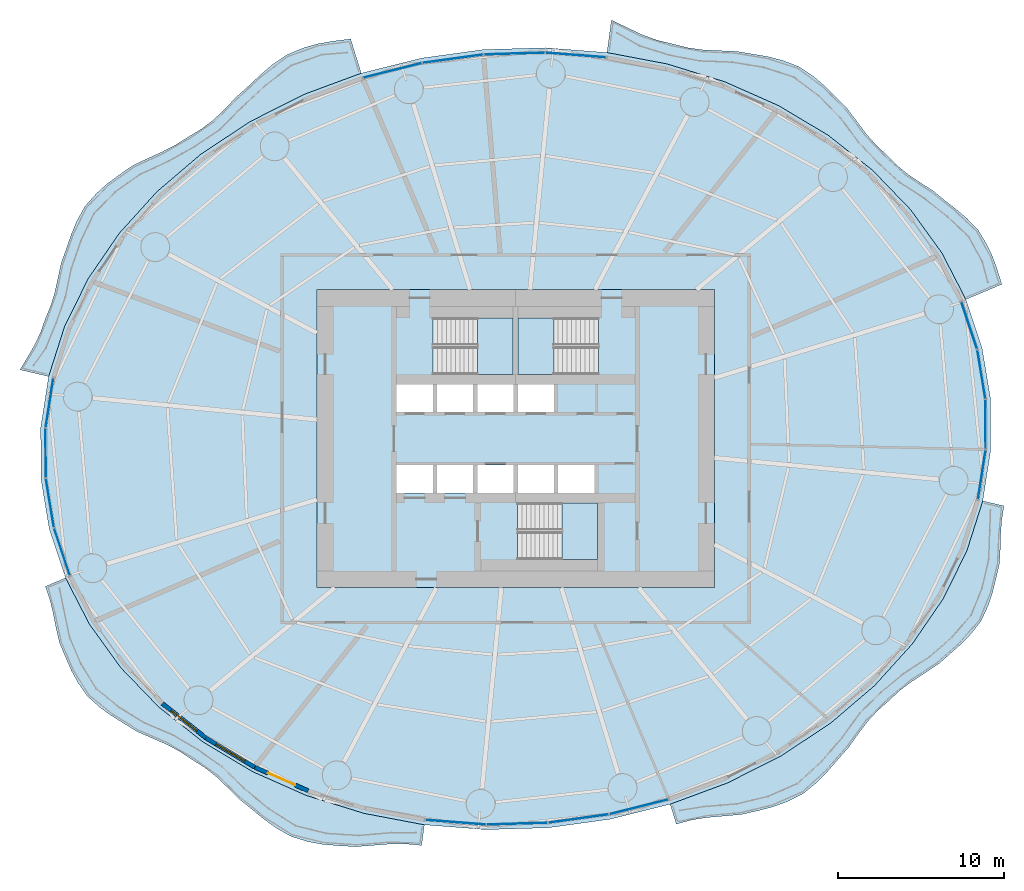
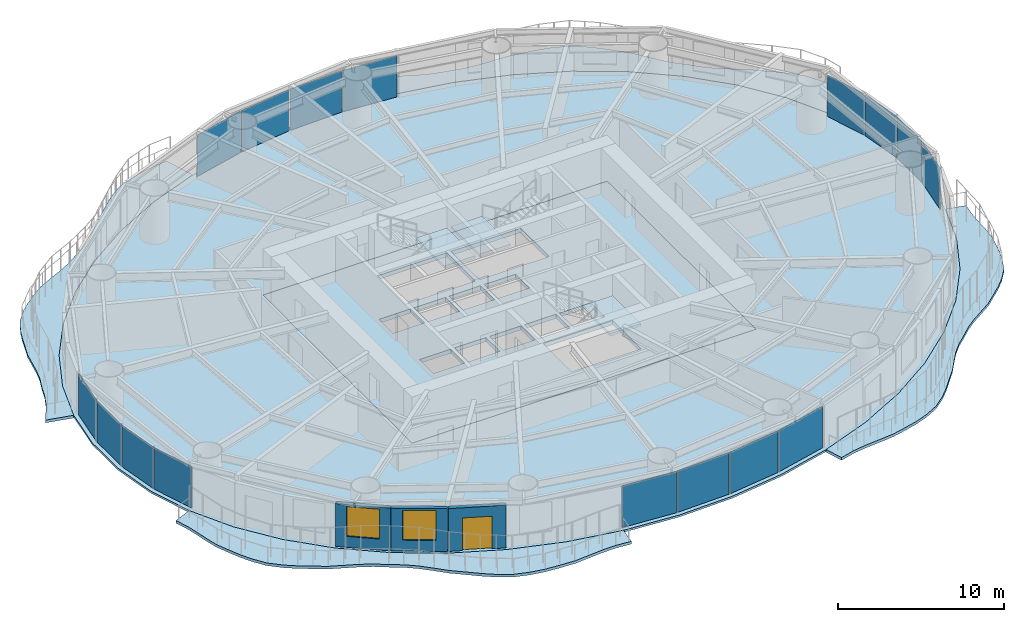
# One storey, part 7 of 17: 16 plates, 9 slabs, 3 walls, 2 windows, 1 door, 3 openings, 19 elements without a shape of their own.
"""IFC4 building model written with IfcOpenShell, lengths in metres."""

import ifcopenshell
import ifcopenshell.guid

model = None  # the IFC model being written
_history = None  # IfcOwnerHistory: only IFC2X3 demands one
_inside = {}  # id of a spatial element -> (the spatial element, [elements in it])
_under = {}  # id of a project, library or spatial element -> (it, [spatial elements below it])
_declared = {}  # id of a project -> (the project, [libraries it declares])
_typed = {}  # id of a type object -> (the type object, [elements of that type])
_made_of = {}  # id of a material, layer set ... -> (it, [elements and type objects made of it])


def new_model(schema):
    """Start an empty IFC model of exactly this schema.

    Asked for "IFC4X3", IfcOpenShell would pick the latest addendum, in which some entities
    have other attributes; the version numbers below select the first issue.
    IFC2X3 requires an IfcOwnerHistory on every rooted entity: one is made here for all.
    """
    global model, _history
    if schema == "IFC4X3":
        model = ifcopenshell.file(schema_version=(4, 3, 0, 0))
    else:
        model = ifcopenshell.file(schema=schema)
    _inside.clear()
    _under.clear()
    _declared.clear()
    _typed.clear()
    _made_of.clear()
    _history = None
    if model.schema == "IFC2X3":
        org = make("IfcOrganization", Name="unknown")
        user = make(
            "IfcPersonAndOrganization",
            ThePerson=make("IfcPerson", FamilyName="unknown"),
            TheOrganization=org,
        )
        app = make(
            "IfcApplication",
            ApplicationDeveloper=org,
            Version="unknown",
            ApplicationFullName="unknown",
            ApplicationIdentifier="unknown",
        )
        _history = make(
            "IfcOwnerHistory",
            OwningUser=user,
            OwningApplication=app,
            ChangeAction="ADDED",
            CreationDate=0,
        )
    return model


def make(cls, **values):
    """One entity of the class cls with the attributes given. An attribute that is None is left unset."""
    return model.create_entity(
        cls, **{name: value for name, value in values.items() if value is not None}
    )


def rooted(cls, **values):
    """An entity with a GlobalId (a new one), such as an element, a storey or a relation."""
    return make(cls, GlobalId=ifcopenshell.guid.new(), OwnerHistory=_history, **values)


def si_unit(unit_type, name, prefix=None):
    """IfcSIUnit, for example si_unit("LENGTHUNIT", "METRE", prefix="MILLI")."""
    return make("IfcSIUnit", UnitType=unit_type, Prefix=prefix, Name=name)


def assignment(units):
    """IfcUnitAssignment: the units of a project."""
    return None if units is None else make("IfcUnitAssignment", Units=units)


def point(xyz):
    """IfcCartesianPoint."""
    return None if xyz is None else make("IfcCartesianPoint", Coordinates=xyz)


def direction(xyz):
    """IfcDirection."""
    return None if xyz is None else make("IfcDirection", DirectionRatios=xyz)


def frame(location, z_axis=None, x_axis=None):
    """IfcAxis2Placement3D, a coordinate frame: its origin and axes. An axis left out is left unset."""
    return make(
        "IfcAxis2Placement3D",
        Location=point(location),
        Axis=direction(z_axis),
        RefDirection=direction(x_axis),
    )


def frame_2d(location, x_axis=None):
    """IfcAxis2Placement2D, a coordinate frame in the plane: its origin and x axis."""
    return make(
        "IfcAxis2Placement2D", Location=point(location), RefDirection=direction(x_axis)
    )


def origin():
    """The frame at (0, 0, 0) with its axes left unset."""
    return frame((0.0, 0.0, 0.0))


def origin_2d():
    """The frame at (0, 0) in the plane with its x axis left unset."""
    return frame_2d((0.0, 0.0))


def place(relative_to, where):
    """IfcLocalPlacement: puts the frame where relative to a parent placement (None: the world)."""
    return make(
        "IfcLocalPlacement", PlacementRelTo=relative_to, RelativePlacement=where
    )


def context(
    kind, dimensions, precision=None, world=None, true_north=None, identifier=None
):
    """IfcGeometricRepresentationContext, for example the 3D "Model" context."""
    return make(
        "IfcGeometricRepresentationContext",
        ContextIdentifier=identifier,
        ContextType=kind,
        CoordinateSpaceDimension=dimensions,
        Precision=precision,
        WorldCoordinateSystem=world,
        TrueNorth=true_north,
    )


def subcontext(parent, identifier, kind, view, scale=None):
    """IfcGeometricRepresentationSubContext, for example "Body" below "Model"."""
    return make(
        "IfcGeometricRepresentationSubContext",
        ContextIdentifier=identifier,
        ContextType=kind,
        ParentContext=parent,
        TargetScale=scale,
        TargetView=view,
    )


def project(units=None, contexts=None):
    """IfcProject with its units and contexts."""
    return rooted(
        "IfcProject",
        Name="project",
        RepresentationContexts=contexts,
        UnitsInContext=assignment(units),
    )


def spatial(cls, under=None, at=None, **own):
    """A site, building, storey or space (cls), placed at a placement, below another one or the project."""
    s = rooted(cls, ObjectPlacement=at, **own)
    if under is not None:
        _under.setdefault(under.id(), (under, []))[1].append(s)
    return s


def polyline(points):
    """IfcPolyline through the points."""
    return make("IfcPolyline", Points=[point(p) for p in points])


def profile(cls, at=None, kind="AREA", **sizes):
    """A parametric profile (cls). Its sizes go by their IFC names, for example OverallWidth=200.0."""
    return make(cls, ProfileType=kind, Position=at, **sizes)


def rectangle(**sizes):
    """IfcRectangleProfileDef."""
    return profile("IfcRectangleProfileDef", **sizes)


def outline(outer, holes=None, kind="AREA"):
    """IfcArbitraryClosedProfileDef: a profile drawn as a closed curve; with holes, ...WithVoids."""
    if holes is None:
        return make("IfcArbitraryClosedProfileDef", ProfileType=kind, OuterCurve=outer)
    return make(
        "IfcArbitraryProfileDefWithVoids",
        ProfileType=kind,
        OuterCurve=outer,
        InnerCurves=holes,
    )


def extrude(swept, where, along, depth):
    """IfcExtrudedAreaSolid: the profile swept, set in the frame where, extruded along a direction by depth."""
    return make(
        "IfcExtrudedAreaSolid",
        SweptArea=swept,
        Position=where,
        ExtrudedDirection=direction(along),
        Depth=depth,
    )


def shape(context_of_items, identifier, shape_type, items):
    """IfcShapeRepresentation: the items that make up one representation, for example the "Body"."""
    return make(
        "IfcShapeRepresentation",
        ContextOfItems=context_of_items,
        RepresentationIdentifier=identifier,
        RepresentationType=shape_type,
        Items=items,
    )


def material(Name=None, Category=None):
    """IfcMaterial."""
    return make("IfcMaterial", Name=Name, Category=Category)


def layer(
    of_material, thickness, ventilated=None, Name=None, Category=None, Priority=None
):
    """IfcMaterialLayer: one layer of a wall or slab, of a material (None: an air gap)."""
    return make(
        "IfcMaterialLayer",
        Material=of_material,
        LayerThickness=thickness,
        IsVentilated=ventilated,
        Name=Name,
        Category=Category,
        Priority=Priority,
    )


def layer_set(layers, Name=None):
    """IfcMaterialLayerSet."""
    return make("IfcMaterialLayerSet", MaterialLayers=layers, LayerSetName=Name)


def made_of(thing, what):
    """Note that an element or type object is made of a material, layer set ...; save() writes the relation."""
    if what is not None:
        _made_of.setdefault(what.id(), (what, []))[1].append(thing)
    return thing


def type_object(cls, material=None, **own):
    """A type object (cls), such as IfcWallType, which elements share."""
    return made_of(rooted(cls, **own), material)


def element(
    cls,
    number,
    at=None,
    inside=None,
    cuts=None,
    type_object=None,
    material=None,
    context=None,
    identifier="Body",
    shape_type=None,
    held_by="IfcProductDefinitionShape",
    body=None,
    shapes=None,
    **own,
):
    """One element of the class cls, such as IfcWall. Its Tag is "e" and its number.

    at: its placement. inside: the storey or other place that contains it. cuts: it is an
    opening in that element (IfcRelVoidsElement). A single representation is given by context,
    identifier, shape_type and body (its items); several are given by shapes. held_by: the class
    of the entity that holds the representations. save() writes the other relations.
    """
    e = rooted(cls, Tag="e%d" % number, ObjectPlacement=at, **own)
    if body is not None:
        shapes = [shape(context, identifier, shape_type, body)]
    if shapes is not None:
        e.Representation = make(held_by, Representations=shapes)
    if inside is not None:
        _inside.setdefault(inside.id(), (inside, []))[1].append(e)
    if cuts is not None:
        rooted(
            "IfcRelVoidsElement", RelatingBuildingElement=cuts, RelatedOpeningElement=e
        )
    if type_object is not None:
        _typed.setdefault(type_object.id(), (type_object, []))[1].append(e)
    return made_of(e, material)


def fill(opening, filler):
    """IfcRelFillsElement: the door or window that sits in an opening."""
    return rooted(
        "IfcRelFillsElement",
        RelatingOpeningElement=opening,
        RelatedBuildingElement=filler,
    )


def aggregate(whole, parts):
    """IfcRelAggregates: a whole, such as a stair, and the parts it consists of."""
    return rooted("IfcRelAggregates", RelatingObject=whole, RelatedObjects=parts)


def save(model, path):
    """Write the relations noted so far, then the file.

    IfcRelAggregates (storeys below a building ...), IfcRelContainedInSpatialStructure (elements
    in a storey), IfcRelDefinesByType, IfcRelAssociatesMaterial and IfcRelDeclares: one each for
    every whole, place, type object, material and project.
    """
    for whole, parts in _under.values():
        aggregate(whole, parts)
    for where, things in _inside.values():
        rooted(
            "IfcRelContainedInSpatialStructure",
            RelatedElements=things,
            RelatingStructure=where,
        )
    for kind, things in _typed.values():
        rooted("IfcRelDefinesByType", RelatedObjects=things, RelatingType=kind)
    for what, things in _made_of.values():
        rooted("IfcRelAssociatesMaterial", RelatedObjects=things, RelatingMaterial=what)
    for by, libraries in _declared.values():
        rooted("IfcRelDeclares", RelatingContext=by, RelatedDefinitions=libraries)
    model.write(path)


model = new_model("IFC4")

# Units and contexts
model_context = context("Model", 3, precision=1e-05, world=origin(), true_north=direction((0.0, 1.0)))
body_context = subcontext(model_context, "Body", "Model", "MODEL_VIEW")
ifc_project = project(units=[si_unit("LENGTHUNIT", "METRE"), si_unit("AREAUNIT", "SQUARE_METRE"), si_unit("VOLUMEUNIT", "CUBIC_METRE"), si_unit("PLANEANGLEUNIT", "RADIAN"), si_unit("MASSUNIT", "GRAM", prefix="KILO")], contexts=[model_context])

# Site, building, storey
site_placement = place(None, origin())
site = spatial("IfcSite", under=ifc_project, at=site_placement, CompositionType="ELEMENT")
building_placement = place(site_placement, origin())
building = spatial("IfcBuilding", under=site, at=building_placement, Name="Vermilion Reach Broadcast Tower", CompositionType="ELEMENT")
storey_placement = place(building_placement, frame((0.0, 0.0, 54.5)))
storey = spatial("IfcBuildingStorey", under=building, at=storey_placement, Name="L10", CompositionType="ELEMENT", Elevation=54.5)

# Slabs
ifc_material_1 = material(Name="Concrete C40/50", Category="concrete")
ifc_layer_1 = layer(ifc_material_1, 0.199951171875)
ifc_layer_set_1 = layer_set([ifc_layer_1], Name="Balcony slab 200")
slab_type_1 = type_object("IfcSlabType", Name="Balcony slab 200", PredefinedType="FLOOR", material=ifc_layer_set_1)
placement_1 = place(storey_placement, frame((0.0, 0.0, -0.199951171875)))
element("IfcSlab", 1, at=placement_1, inside=storey, type_object=slab_type_1, Name="Balcony slab L10 group 1", PredefinedType="FLOOR", context=body_context, shape_type="SweptSolid", body=[
    extrude(outline(polyline([(21.1962890625, 8.410400390625), (19.745849609375, 11.220458984375), (17.854736328125, 13.838623046875), (15.555419921875, 16.22021484375), (12.887451171875, 18.323974609375), (9.896240234375, 20.114501953125), (6.633056640625, 21.560791015625), (3.153564453125, 22.637939453125), (-0.482421875, 23.327880859375), (-0.219970703125, 25.294677734375), (0.744140625, 24.829345703125), (1.60888671875, 24.423583984375), (2.488037109375, 24.093994140625), (3.455810546875, 23.85302734375), (4.4091796875, 23.61474609375), (5.324951171875, 23.493408203125), (6.26318359375, 23.4453125), (7.3232421875, 23.401611328125), (8.351318359375, 23.235595703125), (9.257568359375, 23.077880859375), (10.13330078125, 22.85205078125), (11.1181640625, 22.471435546875), (11.978515625, 21.896728515625), (12.652587890625, 21.32568359375), (13.289306640625, 20.692626953125), (14.014404296875, 19.958984375), (14.623291015625, 19.153564453125), (15.15087890625, 18.45068359375), (15.71630859375, 17.7958984375), (16.400146484375, 17.15380859375), (17.04248046875, 16.505615234375), (17.689208984375, 15.9794921875), (18.389892578125, 15.505859375), (19.2158203125, 14.9775390625), (19.960693359375, 14.36376953125), (20.625244140625, 13.847900390625), (21.259765625, 13.31005859375), (21.95751953125, 12.57958984375), (22.46142578125, 11.732421875), (22.803466796875, 11.019287109375), (23.074951171875, 10.269775390625), (23.3701171875, 9.327392578125), (21.1962890625, 8.410400390625)])), origin(), (0.0, 0.0, 1.0), 0.199951171875),
])
element("IfcSlab", 2, at=placement_1, inside=storey, type_object=slab_type_1, Name="Balcony slab L10 group 2", PredefinedType="FLOOR", context=body_context, shape_type="SweptSolid", body=[
    extrude(outline(polyline([(-15.33056640625, 22.0810546875), (-18.80078125, 20.79443359375), (-22.0517578125, 19.15185546875), (-25.028076171875, 17.181884765625), (-27.6787109375, 14.917724609375), (-29.958740234375, 12.398193359375), (-31.82861328125, 9.666748046875), (-33.256591796875, 6.769775390625), (-34.218017578125, 3.757080078125), (-35.947509765625, 4.1650390625), (-35.457275390625, 4.982421875), (-35.053466796875, 5.68359375), (-34.71337890625, 6.40478515625), (-34.42041015625, 7.2392578125), (-34.074951171875, 8.073486328125), (-33.84130859375, 8.8583984375), (-33.6630859375, 9.6708984375), (-33.458740234375, 10.6201171875), (-33.1220703125, 11.55517578125), (-32.841796875, 12.3662109375), (-32.517578125, 13.147216796875), (-32.030517578125, 14.03271484375), (-31.347900390625, 14.801025390625), (-30.715087890625, 15.3740234375), (-30.02099609375, 15.8916015625), (-29.189453125, 16.47216796875), (-28.25048828125, 16.9287109375), (-27.421630859375, 17.300537109375), (-26.621337890625, 17.705322265625), (-25.80859375, 18.2177734375), (-24.97412109375, 18.717041015625), (-24.263427734375, 19.259765625), (-23.60546875, 19.882568359375), (-22.90478515625, 20.620361328125), (-22.1259765625, 21.318603515625), (-21.434814453125, 21.9697265625), (-20.723388671875, 22.580810546875), (-19.8447265625, 23.187255859375), (-18.854248046875, 23.60009765625), (-17.96240234375, 23.856201171875), (-17.035400390625, 24.017578125), (-15.971435546875, 24.151123046875), (-15.33056640625, 22.0810546875)])), origin(), (0.0, 0.0, 1.0), 0.199951171875),
])
element("IfcSlab", 3, at=placement_1, inside=storey, type_object=slab_type_1, Name="Balcony slab L10 group 3", PredefinedType="FLOOR", context=body_context, shape_type="SweptSolid", body=[
    extrude(outline(polyline([(-33.1962890625, -8.410400390625), (-31.745849609375, -11.220458984375), (-29.854736328125, -13.838623046875), (-27.555419921875, -16.22021484375), (-24.887451171875, -18.323974609375), (-21.896240234375, -20.114501953125), (-18.633056640625, -21.560791015625), (-15.153564453125, -22.637939453125), (-11.517578125, -23.327880859375), (-11.683837890625, -24.57421875), (-12.677490234375, -24.477294921875), (-13.621337890625, -24.48876953125), (-14.57763671875, -24.566162109375), (-15.653564453125, -24.6474609375), (-16.711181640625, -24.590087890625), (-17.64013671875, -24.51123046875), (-18.542236328125, -24.3466796875), (-19.560546875, -24.03466796875), (-20.4765625, -23.518310546875), (-21.2158203125, -22.984130859375), (-21.93115234375, -22.3955078125), (-22.739501953125, -21.7412109375), (-23.456298828125, -21.02392578125), (-24.10400390625, -20.409423828125), (-24.793212890625, -19.86376953125), (-25.601318359375, -19.35986328125), (-26.38037109375, -18.845458984375), (-27.14794921875, -18.447021484375), (-27.95361328125, -18.096923828125), (-28.883544921875, -17.688232421875), (-29.727783203125, -17.167236328125), (-30.4541015625, -16.71826171875), (-31.1357421875, -16.22607421875), (-31.89013671875, -15.541748046875), (-32.456298828125, -14.721923828125), (-32.8447265625, -14.00634765625), (-33.17626953125, -13.249755859375), (-33.56103515625, -12.3359375), (-33.783447265625, -11.382568359375), (-33.940185546875, -10.57373046875), (-34.127685546875, -9.78076171875), (-34.4140625, -8.923828125), (-33.1962890625, -8.410400390625)])), origin(), (0.0, 0.0, 1.0), 0.199951171875),
])
element("IfcSlab", 4, at=placement_1, inside=storey, type_object=slab_type_1, Name="Balcony slab L10 group 4", PredefinedType="FLOOR", context=body_context, shape_type="SweptSolid", body=[
    extrude(outline(polyline([(3.33056640625, -22.0810546875), (6.80078125, -20.79443359375), (10.0517578125, -19.15185546875), (13.028076171875, -17.181884765625), (15.6787109375, -14.917724609375), (17.958740234375, -12.398193359375), (19.82861328125, -9.666748046875), (21.256591796875, -6.769775390625), (22.218017578125, -3.757080078125), (23.49951171875, -4.059326171875), (23.357421875, -4.95068359375), (23.302490234375, -5.762939453125), (23.281982421875, -6.58642578125), (23.221923828125, -7.562744140625), (22.996826171875, -8.52783203125), (22.798828125, -9.330322265625), (22.538330078125, -10.102294921875), (22.120361328125, -11.0068359375), (21.493896484375, -11.8095703125), (20.906494140625, -12.410400390625), (20.26708984375, -12.9755859375), (19.521728515625, -13.63134765625), (18.671875, -14.189453125), (17.9345703125, -14.667724609375), (17.241943359375, -15.1865234375), (16.556640625, -15.82080078125), (15.841064453125, -16.449462890625), (15.25, -17.099365234375), (14.711669921875, -17.81103515625), (14.1240234375, -18.63623046875), (13.436767578125, -19.416015625), (12.830810546875, -20.116943359375), (12.192626953125, -20.76953125), (11.3779296875, -21.434814453125), (10.427978515625, -21.916015625), (9.567626953125, -22.232421875), (8.666259765625, -22.4677734375), (7.63330078125, -22.70263671875), (6.558349609375, -22.802001953125), (5.601806640625, -22.883544921875), (4.66796875, -23.0263671875), (3.702880859375, -23.28369140625), (3.33056640625, -22.0810546875)])), origin(), (0.0, 0.0, 1.0), 0.199951171875),
])
ifc_material_2 = material(Name="Concrete C40", Category="concrete")
ifc_layer_2 = layer(ifc_material_2, 0.300048828125)
ifc_layer_set_2 = layer_set([ifc_layer_2], Name="Core floor slab 300 mm Concrete C40")
slab_type_2 = type_object("IfcSlabType", Name="Core floor slab 300 mm Concrete C40", PredefinedType="FLOOR", material=ifc_layer_set_2)
slab_5_placement = place(storey_placement, frame((0.0, 0.0, -0.300048828125)))
element("IfcSlab", 5, at=slab_5_placement, inside=storey, type_object=slab_type_2, Name="L10 core floor", PredefinedType="FLOOR", context=body_context, shape_type="SweptSolid", body=[
    extrude(outline(polyline([(-18.0, -9.0), (6.0, -9.0), (6.0, 9.0), (-18.0, 9.0), (-18.0, -9.0)]), holes=[polyline([(-13.199951171875, 1.60009765625), (-11.00830078125, 1.60009765625), (-11.00830078125, 3.280029296875), (-13.199951171875, 3.280029296875), (-13.199951171875, 1.60009765625)]), polyline([(-10.75830078125, 1.60009765625), (-8.566650390625, 1.60009765625), (-8.566650390625, 3.280029296875), (-10.75830078125, 3.280029296875), (-10.75830078125, 1.60009765625)]), polyline([(-8.316650390625, 1.60009765625), (-6.125, 1.60009765625), (-6.125, 3.280029296875), (-8.316650390625, 3.280029296875), (-8.316650390625, 1.60009765625)]), polyline([(-5.875, 1.60009765625), (-3.683349609375, 1.60009765625), (-3.683349609375, 3.280029296875), (-5.875, 3.280029296875), (-5.875, 1.60009765625)]), polyline([(-13.199951171875, -3.280029296875), (-11.00830078125, -3.280029296875), (-11.00830078125, -1.60009765625), (-13.199951171875, -1.60009765625), (-13.199951171875, -3.280029296875)]), polyline([(-10.75830078125, -3.280029296875), (-8.566650390625, -3.280029296875), (-8.566650390625, -1.60009765625), (-10.75830078125, -1.60009765625), (-10.75830078125, -3.280029296875)]), polyline([(-8.316650390625, -3.280029296875), (-6.125, -3.280029296875), (-6.125, -1.60009765625), (-8.316650390625, -1.60009765625), (-8.316650390625, -3.280029296875)]), polyline([(-5.875, -3.280029296875), (-3.683349609375, -3.280029296875), (-3.683349609375, -1.60009765625), (-5.875, -1.60009765625), (-5.875, -3.280029296875)]), polyline([(-3.433349609375, -3.280029296875), (-1.24169921875, -3.280029296875), (-1.24169921875, -1.60009765625), (-3.433349609375, -1.60009765625), (-3.433349609375, -3.280029296875)]), polyline([(-10.999267578125, 3.8798828125), (-6.14990234375, 3.8798828125), (-6.14990234375, 7.300048828125), (-10.999267578125, 7.300048828125), (-10.999267578125, 3.8798828125)]), polyline([(-1.000732421875, 7.300048828125), (-5.85009765625, 7.300048828125), (-5.85009765625, 3.8798828125), (-1.000732421875, 3.8798828125), (-1.000732421875, 7.300048828125)]), polyline([(-5.8994140625, -7.300048828125), (-1.050048828125, -7.300048828125), (-1.050048828125, -3.8798828125), (-5.8994140625, -3.8798828125), (-5.8994140625, -7.300048828125)])]), origin(), (0.0, 0.0, 1.0), 0.300048828125),
])

# Stair, slab
ifc_material_3 = material(Name="Concrete C40", Category="concrete")
stair_type = type_object("IfcStairType", Name="Exit stair RC 22 risers 168 mm", PredefinedType="HALF_TURN_STAIR", material=ifc_material_3)
placement_2 = place(storey_placement, origin())
stair_1 = element("IfcStair", 6, at=placement_2, inside=storey, type_object=stair_type, Name="L10 Exit stair ST1", PredefinedType="HALF_TURN_STAIR")
ifc_material_4 = material(Name="Concrete C40", Category="concrete")
ifc_layer_3 = layer(ifc_material_4, 0.199951171875)
ifc_layer_set_3 = layer_set([ifc_layer_3], Name="Exit stair landing Concrete C40")
slab_type_3 = type_object("IfcSlabType", Name="Exit stair landing Concrete C40", PredefinedType="LANDING", material=ifc_layer_set_3)
placement_3 = place(storey_placement, frame((0.0, 0.0, 1.64990234375)))
slab_6 = element("IfcSlab", 7, at=placement_3, type_object=slab_type_3, Name="ST1 landing 1", PredefinedType="LANDING", context=body_context, shape_type="SweptSolid", body=[
    extrude(outline(polyline([(-8.300048828125, 3.8798828125), (-6.14990234375, 3.8798828125), (-6.14990234375, 7.300048828125), (-8.300048828125, 7.300048828125), (-8.300048828125, 3.8798828125)])), origin(), (0.0, 0.0, 1.0), 0.2001953125),
])
aggregate(stair_1, [slab_6])

stair_2 = element("IfcStair", 8, at=placement_2, inside=storey, type_object=stair_type, Name="L10 Exit stair ST2", PredefinedType="HALF_TURN_STAIR")
slab_7 = element("IfcSlab", 9, at=placement_3, type_object=slab_type_3, Name="ST2 landing 1", PredefinedType="LANDING", context=body_context, shape_type="SweptSolid", body=[
    extrude(outline(polyline([(-3.699951171875, 7.300048828125), (-5.85009765625, 7.300048828125), (-5.85009765625, 3.8798828125), (-3.699951171875, 3.8798828125), (-3.699951171875, 7.300048828125)])), origin(), (0.0, 0.0, 1.0), 0.2001953125),
])
aggregate(stair_2, [slab_7])

stair_3 = element("IfcStair", 10, at=placement_2, inside=storey, type_object=stair_type, Name="L10 Exit stair ST3", PredefinedType="HALF_TURN_STAIR")
slab_8 = element("IfcSlab", 11, at=placement_3, type_object=slab_type_3, Name="ST3 landing 1", PredefinedType="LANDING", context=body_context, shape_type="SweptSolid", body=[
    extrude(outline(polyline([(-3.199951171875, -7.300048828125), (-1.050048828125, -7.300048828125), (-1.050048828125, -3.8798828125), (-3.199951171875, -3.8798828125), (-3.199951171875, -7.300048828125)])), origin(), (0.0, 0.0, 1.0), 0.2001953125),
])
aggregate(stair_3, [slab_8])

# Slab
ifc_material_5 = material(Name="Concrete C40", Category="concrete")
ifc_layer_4 = layer(ifc_material_5, 0.14990234375)
ifc_layer_set_4 = layer_set([ifc_layer_4], Name="Floor slab Concrete C40 composite 150")
slab_type_4 = type_object("IfcSlabType", Name="Floor slab Concrete C40 composite 150", PredefinedType="FLOOR", material=ifc_layer_set_4)
slab_9_placement = place(storey_placement, frame((0.0, 0.0, -0.14990234375)))
element("IfcSlab", 12, at=slab_9_placement, inside=storey, type_object=slab_type_4, Name="Floor slab L10", PredefinedType="FLOOR", context=body_context, shape_type="SweptSolid", body=[
    extrude(outline(polyline([(22.6845703125, 2.40869140625), (22.181640625, 5.456298828125), (21.1962890625, 8.410400390625), (19.745849609375, 11.220458984375), (17.854736328125, 13.838623046875), (15.555419921875, 16.22021484375), (12.887451171875, 18.323974609375), (9.896240234375, 20.114501953125), (6.633056640625, 21.560791015625), (3.153564453125, 22.637939453125), (-0.482421875, 23.327880859375), (-4.212890625, 23.61865234375), (-7.973876953125, 23.50537109375), (-11.700927734375, 22.989990234375), (-15.33056640625, 22.0810546875), (-18.80078125, 20.79443359375), (-22.0517578125, 19.15185546875), (-25.028076171875, 17.181884765625), (-27.6787109375, 14.917724609375), (-29.958740234375, 12.398193359375), (-31.82861328125, 9.666748046875), (-33.256591796875, 6.769775390625), (-34.218017578125, 3.757080078125), (-34.69677734375, 0.679931640625), (-34.6845703125, -2.40869140625), (-34.181640625, -5.456298828125), (-33.1962890625, -8.410400390625), (-31.745849609375, -11.220458984375), (-29.854736328125, -13.838623046875), (-27.555419921875, -16.22021484375), (-24.887451171875, -18.323974609375), (-21.896240234375, -20.114501953125), (-18.633056640625, -21.560791015625), (-15.153564453125, -22.637939453125), (-11.517578125, -23.327880859375), (-7.787109375, -23.61865234375), (-4.026123046875, -23.50537109375), (-0.299072265625, -22.989990234375), (3.33056640625, -22.0810546875), (6.80078125, -20.79443359375), (10.0517578125, -19.15185546875), (13.028076171875, -17.181884765625), (15.6787109375, -14.917724609375), (17.958740234375, -12.398193359375), (19.82861328125, -9.666748046875), (21.256591796875, -6.769775390625), (22.218017578125, -3.757080078125), (22.69677734375, -0.679931640625), (22.6845703125, 2.40869140625)]), holes=[polyline([(-18.0, -9.0), (6.0, -9.0), (6.0, 9.0), (-18.0, 9.0), (-18.0, -9.0)])]), origin(), (0.0, 0.0, 1.0), 0.14990234375),
])

# Curtain wall, plate
ifc_material_6 = material(Name="Low-e laminated clear glass in aluminium frame", Category="aluminium")
curtain_wall_type = type_object("IfcCurtainWallType", Name="Slot curtain wall", PredefinedType="NOTDEFINED", material=ifc_material_6)
curtain_wall_1 = element("IfcCurtainWall", 13, at=placement_2, inside=storey, type_object=curtain_wall_type, Name="Slot curtain wall L10 46", PredefinedType="NOTDEFINED")
ifc_material_7 = material(Name="Low-e laminated clear glass", Category="glass")
ifc_layer_5 = layer(ifc_material_7, 0.028076171875)
ifc_layer_set_5 = layer_set([ifc_layer_5], Name="Slot glass panel")
plate_type = type_object("IfcPlateType", Name="Slot glass panel", PredefinedType="CURTAIN_PANEL", material=ifc_layer_set_5)
plate_1_placement = place(storey_placement, frame((22.161865234375, -2.172607421875, 0.0), z_axis=(0.0, 0.0, 1.0), x_axis=(0.153753497533, 0.988109235862, 0.0)))
plate_1 = element("IfcPlate", 14, at=plate_1_placement, type_object=plate_type, Name="Slot glass panel L10 46", PredefinedType="CURTAIN_PANEL", context=body_context, shape_type="SweptSolid", body=[
    extrude(rectangle(XDim=2.987060546875, YDim=0.028076171875, at=origin_2d()), origin(), (0.0, 0.0, 1.0), 3.050048828125),
])
aggregate(curtain_wall_1, [plate_1])

curtain_wall_2 = element("IfcCurtainWall", 15, at=placement_2, inside=storey, type_object=curtain_wall_type, Name="Slot curtain wall L10 47", PredefinedType="NOTDEFINED")
plate_2_placement = place(storey_placement, frame((22.3916015625, 0.863037109375, 0.0), z_axis=(0.0, 0.0, 1.0), x_axis=(-0.003957619025, 0.999992168595, 0.0)))
plate_2 = element("IfcPlate", 16, at=plate_2_placement, type_object=plate_type, Name="Slot glass panel L10 47", PredefinedType="CURTAIN_PANEL", context=body_context, shape_type="SweptSolid", body=[
    extrude(rectangle(XDim=2.9609375, YDim=0.028076171875, at=origin_2d()), origin(), (0.0, 0.0, 1.0), 3.050048828125),
])
aggregate(curtain_wall_2, [plate_2])

curtain_wall_3 = element("IfcCurtainWall", 17, at=placement_2, inside=storey, type_object=curtain_wall_type, Name="Slot curtain wall L10 00", PredefinedType="NOTDEFINED")
plate_3_placement = place(storey_placement, frame((22.137939453125, 3.8837890625, 0.0), z_axis=(0.0, 0.0, 1.0), x_axis=(-0.162865191382, 0.986648331188, 0.0)))
plate_3 = element("IfcPlate", 18, at=plate_3_placement, type_object=plate_type, Name="Slot glass panel L10 00", PredefinedType="CURTAIN_PANEL", context=body_context, shape_type="SweptSolid", body=[
    extrude(rectangle(XDim=2.9609375, YDim=0.028076171875, at=origin_2d()), origin(), (0.0, 0.0, 1.0), 3.050048828125),
])
aggregate(curtain_wall_3, [plate_3])

curtain_wall_4 = element("IfcCurtainWall", 19, at=placement_2, inside=storey, type_object=curtain_wall_type, Name="Slot curtain wall L10 01", PredefinedType="NOTDEFINED")
plate_4_placement = place(storey_placement, frame((21.4052734375, 6.8388671875, 0.0), z_axis=(0.0, 0.0, 1.0), x_axis=(-0.316386021628, 0.948630531513, 0.0)))
plate_4 = element("IfcPlate", 20, at=plate_4_placement, type_object=plate_type, Name="Slot glass panel L10 01", PredefinedType="CURTAIN_PANEL", context=body_context, shape_type="SweptSolid", body=[
    extrude(rectangle(XDim=2.987060546875, YDim=0.028076171875, at=origin_2d()), origin(), (0.0, 0.0, 1.0), 3.050048828125),
])
aggregate(curtain_wall_4, [plate_4])

curtain_wall_5 = element("IfcCurtainWall", 21, at=placement_2, inside=storey, type_object=curtain_wall_type, Name="Slot curtain wall L10 10", PredefinedType="NOTDEFINED")
plate_5_placement = place(storey_placement, frame((-2.37109375, 23.1748046875, 0.0), z_axis=(0.0, 0.0, 1.0), x_axis=(-0.996975182661, 0.07772055814, 0.0)))
plate_5 = element("IfcPlate", 22, at=plate_5_placement, type_object=plate_type, Name="Slot glass panel L10 10", PredefinedType="CURTAIN_PANEL", context=body_context, shape_type="SweptSolid", body=[
    extrude(rectangle(XDim=3.629150390625, YDim=0.028076171875, at=origin_2d()), origin(), (0.0, 0.0, 1.0), 3.050048828125),
])
aggregate(curtain_wall_5, [plate_5])

curtain_wall_6 = element("IfcCurtainWall", 23, at=placement_2, inside=storey, type_object=curtain_wall_type, Name="Slot curtain wall L10 11", PredefinedType="NOTDEFINED")
plate_6_placement = place(storey_placement, frame((-6.084228515625, 23.2626953125, 0.0), z_axis=(0.0, 0.0, 1.0), x_axis=(-0.999546463872, -0.030114225234, 0.0)))
plate_6 = element("IfcPlate", 24, at=plate_6_placement, type_object=plate_type, Name="Slot glass panel L10 11", PredefinedType="CURTAIN_PANEL", context=body_context, shape_type="SweptSolid", body=[
    extrude(rectangle(XDim=3.650390625, YDim=0.028076171875, at=origin_2d()), origin(), (0.0, 0.0, 1.0), 3.050048828125),
])
aggregate(curtain_wall_6, [plate_6])

curtain_wall_7 = element("IfcCurtainWall", 25, at=placement_2, inside=storey, type_object=curtain_wall_type, Name="Slot curtain wall L10 12", PredefinedType="NOTDEFINED")
plate_7_placement = place(storey_placement, frame((-9.79638671875, 22.950927734375, 0.0), z_axis=(0.0, 0.0, 1.0), x_axis=(-0.990570950743, -0.137000699067, 0.0)))
plate_7 = element("IfcPlate", 26, at=plate_7_placement, type_object=plate_type, Name="Slot glass panel L10 12", PredefinedType="CURTAIN_PANEL", context=body_context, shape_type="SweptSolid", body=[
    extrude(rectangle(XDim=3.650390625, YDim=0.028076171875, at=origin_2d()), origin(), (0.0, 0.0, 1.0), 3.050048828125),
])
aggregate(curtain_wall_7, [plate_7])

curtain_wall_8 = element("IfcCurtainWall", 27, at=placement_2, inside=storey, type_object=curtain_wall_type, Name="Slot curtain wall L10 13", PredefinedType="NOTDEFINED")
plate_8_placement = place(storey_placement, frame((-13.443115234375, 22.244873046875, 0.0), z_axis=(0.0, 0.0, 1.0), x_axis=(-0.97005225825, -0.24289630764, 0.0)))
plate_8 = element("IfcPlate", 28, at=plate_8_placement, type_object=plate_type, Name="Slot glass panel L10 13", PredefinedType="CURTAIN_PANEL", context=body_context, shape_type="SweptSolid", body=[
    extrude(rectangle(XDim=3.629150390625, YDim=0.028076171875, at=origin_2d()), origin(), (0.0, 0.0, 1.0), 3.050048828125),
])
aggregate(curtain_wall_8, [plate_8])

curtain_wall_9 = element("IfcCurtainWall", 29, at=placement_2, inside=storey, type_object=curtain_wall_type, Name="Slot curtain wall L10 22", PredefinedType="NOTDEFINED")
plate_9_placement = place(storey_placement, frame((-34.161865234375, 2.172607421875, 0.0), z_axis=(0.0, 0.0, 1.0), x_axis=(-0.153753497533, -0.988109235862, 0.0)))
plate_9 = element("IfcPlate", 30, at=plate_9_placement, type_object=plate_type, Name="Slot glass panel L10 22", PredefinedType="CURTAIN_PANEL", context=body_context, shape_type="SweptSolid", body=[
    extrude(rectangle(XDim=2.987060546875, YDim=0.028076171875, at=origin_2d()), origin(), (0.0, 0.0, 1.0), 3.050048828125),
])
aggregate(curtain_wall_9, [plate_9])

curtain_wall_10 = element("IfcCurtainWall", 31, at=placement_2, inside=storey, type_object=curtain_wall_type, Name="Slot curtain wall L10 23", PredefinedType="NOTDEFINED")
plate_10_placement = place(storey_placement, frame((-34.3916015625, -0.863037109375, 0.0), z_axis=(0.0, 0.0, 1.0), x_axis=(0.003957619025, -0.999992168595, 0.0)))
plate_10 = element("IfcPlate", 32, at=plate_10_placement, type_object=plate_type, Name="Slot glass panel L10 23", PredefinedType="CURTAIN_PANEL", context=body_context, shape_type="SweptSolid", body=[
    extrude(rectangle(XDim=2.9609375, YDim=0.028076171875, at=origin_2d()), origin(), (0.0, 0.0, 1.0), 3.050048828125),
])
aggregate(curtain_wall_10, [plate_10])

curtain_wall_11 = element("IfcCurtainWall", 33, at=placement_2, inside=storey, type_object=curtain_wall_type, Name="Slot curtain wall L10 24", PredefinedType="NOTDEFINED")
plate_11_placement = place(storey_placement, frame((-34.137939453125, -3.8837890625, 0.0), z_axis=(0.0, 0.0, 1.0), x_axis=(0.162865191382, -0.986648331188, 0.0)))
plate_11 = element("IfcPlate", 34, at=plate_11_placement, type_object=plate_type, Name="Slot glass panel L10 24", PredefinedType="CURTAIN_PANEL", context=body_context, shape_type="SweptSolid", body=[
    extrude(rectangle(XDim=2.9609375, YDim=0.028076171875, at=origin_2d()), origin(), (0.0, 0.0, 1.0), 3.050048828125),
])
aggregate(curtain_wall_11, [plate_11])

curtain_wall_12 = element("IfcCurtainWall", 35, at=placement_2, inside=storey, type_object=curtain_wall_type, Name="Slot curtain wall L10 25", PredefinedType="NOTDEFINED")
plate_12_placement = place(storey_placement, frame((-33.4052734375, -6.8388671875, 0.0), z_axis=(0.0, 0.0, 1.0), x_axis=(0.316386021628, -0.948630531513, 0.0)))
plate_12 = element("IfcPlate", 36, at=plate_12_placement, type_object=plate_type, Name="Slot glass panel L10 25", PredefinedType="CURTAIN_PANEL", context=body_context, shape_type="SweptSolid", body=[
    extrude(rectangle(XDim=2.987060546875, YDim=0.028076171875, at=origin_2d()), origin(), (0.0, 0.0, 1.0), 3.050048828125),
])
aggregate(curtain_wall_12, [plate_12])

curtain_wall_13 = element("IfcCurtainWall", 37, at=placement_2, inside=storey, type_object=curtain_wall_type, Name="Slot curtain wall L10 34", PredefinedType="NOTDEFINED")
plate_13_placement = place(storey_placement, frame((-9.62890625, -23.1748046875, 0.0), z_axis=(0.0, 0.0, 1.0), x_axis=(0.996975182661, -0.07772055814, 0.0)))
plate_13 = element("IfcPlate", 38, at=plate_13_placement, type_object=plate_type, Name="Slot glass panel L10 34", PredefinedType="CURTAIN_PANEL", context=body_context, shape_type="SweptSolid", body=[
    extrude(rectangle(XDim=3.629150390625, YDim=0.028076171875, at=origin_2d()), origin(), (0.0, 0.0, 1.0), 3.050048828125),
])
aggregate(curtain_wall_13, [plate_13])

curtain_wall_14 = element("IfcCurtainWall", 39, at=placement_2, inside=storey, type_object=curtain_wall_type, Name="Slot curtain wall L10 35", PredefinedType="NOTDEFINED")
plate_14_placement = place(storey_placement, frame((-5.915771484375, -23.2626953125, 0.0), z_axis=(0.0, 0.0, 1.0), x_axis=(0.999546463872, 0.030114225234, 0.0)))
plate_14 = element("IfcPlate", 40, at=plate_14_placement, type_object=plate_type, Name="Slot glass panel L10 35", PredefinedType="CURTAIN_PANEL", context=body_context, shape_type="SweptSolid", body=[
    extrude(rectangle(XDim=3.650390625, YDim=0.028076171875, at=origin_2d()), origin(), (0.0, 0.0, 1.0), 3.050048828125),
])
aggregate(curtain_wall_14, [plate_14])

curtain_wall_15 = element("IfcCurtainWall", 41, at=placement_2, inside=storey, type_object=curtain_wall_type, Name="Slot curtain wall L10 36", PredefinedType="NOTDEFINED")
plate_15_placement = place(storey_placement, frame((-2.20361328125, -22.950927734375, 0.0), z_axis=(0.0, 0.0, 1.0), x_axis=(0.990570950743, 0.137000699067, 0.0)))
plate_15 = element("IfcPlate", 42, at=plate_15_placement, type_object=plate_type, Name="Slot glass panel L10 36", PredefinedType="CURTAIN_PANEL", context=body_context, shape_type="SweptSolid", body=[
    extrude(rectangle(XDim=3.650390625, YDim=0.028076171875, at=origin_2d()), origin(), (0.0, 0.0, 1.0), 3.050048828125),
])
aggregate(curtain_wall_15, [plate_15])

curtain_wall_16 = element("IfcCurtainWall", 43, at=placement_2, inside=storey, type_object=curtain_wall_type, Name="Slot curtain wall L10 37", PredefinedType="NOTDEFINED")
plate_16_placement = place(storey_placement, frame((1.443115234375, -22.244873046875, 0.0), z_axis=(0.0, 0.0, 1.0), x_axis=(0.97005225825, 0.24289630764, 0.0)))
plate_16 = element("IfcPlate", 44, at=plate_16_placement, type_object=plate_type, Name="Slot glass panel L10 37", PredefinedType="CURTAIN_PANEL", context=body_context, shape_type="SweptSolid", body=[
    extrude(rectangle(XDim=3.629150390625, YDim=0.028076171875, at=origin_2d()), origin(), (0.0, 0.0, 1.0), 3.050048828125),
])
aggregate(curtain_wall_16, [plate_16])

# Wall, opening, window
ifc_material_8 = material(Name="Terracotta rainscreen cladding", Category="masonry")
ifc_layer_6 = layer(ifc_material_8, 0.25)
ifc_layer_set_6 = layer_set([ifc_layer_6], Name="Terracotta rainscreen wall 250")
wall_type = type_object("IfcWallType", Name="Terracotta rainscreen wall 250", PredefinedType="SOLIDWALL", material=ifc_layer_set_6)
wall_1_placement = place(storey_placement, frame((-27.3447265625, -16.005126953125, 0.0), z_axis=(0.0, 0.0, 1.0), x_axis=(0.785221920125, -0.619214450861, 0.0)))
wall_1 = element("IfcWall", 45, at=wall_1_placement, inside=storey, type_object=wall_type, Name="External wall L10 29", PredefinedType="SOLIDWALL", context=body_context, shape_type="SweptSolid", body=[
    extrude(rectangle(XDim=3.333984375, YDim=0.25, at=frame_2d((1.6669921875, 0.0))), origin(), (0.0, 0.0, 1.0), 3.14990234375),
])
opening_1_placement = place(wall_1_placement, frame((0.6669921875, 0.0, 0.800048828125)))
opening_1 = element("IfcOpeningElement", 46, at=opening_1_placement, cuts=wall_1, Name="Opening W01", PredefinedType="OPENING", context=body_context, shape_type="SweptSolid", body=[
    extrude(rectangle(XDim=2.0, YDim=2.199951171875, at=frame_2d((1.0, 1.10009765625))), frame((0.0, 0.135009765625, 0.0), z_axis=(0.0, -1.0, 0.0), x_axis=(1.0, 0.0, 0.0)), (0.0, 0.0, 1.0), 0.27001953125),
])
ifc_material_9 = material(Name="Low-e laminated clear glass in aluminium frame", Category="aluminium")
window_type = type_object("IfcWindowType", Name="Punched window 2000 x 2200 sill 800", PartitioningType="SINGLE_PANEL", PredefinedType="WINDOW", material=ifc_material_9)
window_1_placement = place(opening_1_placement, origin())
window_1 = element("IfcWindow", 47, at=window_1_placement, inside=storey, type_object=window_type, Name="Window L10 29", OverallHeight=2.199951171875, OverallWidth=2.0, PartitioningType="SINGLE_PANEL", PredefinedType="WINDOW", context=body_context, shape_type="SweptSolid", body=[
    extrude(rectangle(XDim=2.0, YDim=2.199951171875, at=frame_2d((1.0, 1.10009765625))), frame((0.0, 0.030029296875, 0.0), z_axis=(0.0, -1.0, 0.0), x_axis=(1.0, 0.0, 0.0)), (0.0, 0.0, 1.0), 0.06005859375),
])
fill(opening_1, window_1)

wall_2_placement = place(storey_placement, frame((-24.70703125, -18.0830078125, 0.0), z_axis=(0.0, 0.0, 1.0), x_axis=(0.858033363917, -0.513593950903, 0.0)))
wall_2 = element("IfcWall", 48, at=wall_2_placement, inside=storey, type_object=wall_type, Name="External wall L10 30", PredefinedType="SOLIDWALL", context=body_context, shape_type="SweptSolid", body=[
    extrude(rectangle(XDim=3.425048828125, YDim=0.25, at=frame_2d((1.71240234375, 0.0))), origin(), (0.0, 0.0, 1.0), 3.14990234375),
])
opening_2_placement = place(wall_2_placement, frame((0.71240234375, 0.0, 0.800048828125)))
opening_2 = element("IfcOpeningElement", 49, at=opening_2_placement, cuts=wall_2, Name="Opening W01", PredefinedType="OPENING", context=body_context, shape_type="SweptSolid", body=[
    extrude(rectangle(XDim=2.0, YDim=2.199951171875, at=frame_2d((1.0, 1.10009765625))), frame((0.0, 0.135009765625, 0.0), z_axis=(0.0, -1.0, 0.0), x_axis=(1.0, 0.0, 0.0)), (0.0, 0.0, 1.0), 0.27001953125),
])
window_2_placement = place(opening_2_placement, origin())
window_2 = element("IfcWindow", 50, at=window_2_placement, inside=storey, type_object=window_type, Name="Window L10 30", OverallHeight=2.199951171875, OverallWidth=2.0, PartitioningType="SINGLE_PANEL", PredefinedType="WINDOW", context=body_context, shape_type="SweptSolid", body=[
    extrude(rectangle(XDim=2.0, YDim=2.199951171875, at=frame_2d((1.0, 1.10009765625))), frame((0.0, 0.030029296875, 0.0), z_axis=(0.0, -1.0, 0.0), x_axis=(1.0, 0.0, 0.0)), (0.0, 0.0, 1.0), 0.06005859375),
])
fill(opening_2, window_2)

# Wall, opening, door
wall_3_placement = place(storey_placement, frame((-21.74755859375, -19.852783203125, 0.0), z_axis=(0.0, 0.0, 1.0), x_axis=(0.914241212529, -0.405170341107, 0.0)))
wall_3 = element("IfcWall", 51, at=wall_3_placement, inside=storey, type_object=wall_type, Name="External wall L10 31", PredefinedType="SOLIDWALL", context=body_context, shape_type="SweptSolid", body=[
    extrude(rectangle(XDim=3.510498046875, YDim=0.25, at=frame_2d((1.75537109375, 0.0))), origin(), (0.0, 0.0, 1.0), 3.14990234375),
])
opening_3_placement = place(wall_3_placement, frame((0.85498046875, 0.0, 0.0)))
opening_3 = element("IfcOpeningElement", 52, at=opening_3_placement, cuts=wall_3, Name="Opening D70", PredefinedType="OPENING", context=body_context, shape_type="SweptSolid", body=[
    extrude(rectangle(XDim=1.800048828125, YDim=2.39990234375, at=frame_2d((0.89990234375, 1.199951171875))), frame((0.0, 0.135009765625, 0.0), z_axis=(0.0, -1.0, 0.0), x_axis=(1.0, 0.0, 0.0)), (0.0, 0.0, 1.0), 0.27001953125),
])
ifc_material_10 = material(Name="Low-e laminated clear glass in aluminium frame", Category="aluminium")
door_type = type_object("IfcDoorType", Name="Balcony sliding door 1800 x 2400", OperationType="DOUBLE_DOOR_SLIDING", PredefinedType="DOOR", material=ifc_material_10)
door_placement = place(opening_3_placement, origin())
door = element("IfcDoor", 53, at=door_placement, inside=storey, type_object=door_type, Name="Balcony door L10 run 08", OperationType="DOUBLE_DOOR_SLIDING", OverallHeight=2.39990234375, OverallWidth=1.800048828125, PredefinedType="DOOR", context=body_context, shape_type="SweptSolid", body=[
    extrude(rectangle(XDim=1.800048828125, YDim=2.39990234375, at=frame_2d((0.89990234375, 1.199951171875))), frame((0.0, 0.02490234375, 0.0), z_axis=(0.0, -1.0, 0.0), x_axis=(1.0, 0.0, 0.0)), (0.0, 0.0, 1.0), 0.050048828125),
])
fill(opening_3, door)

save(model, "model.ifc")
